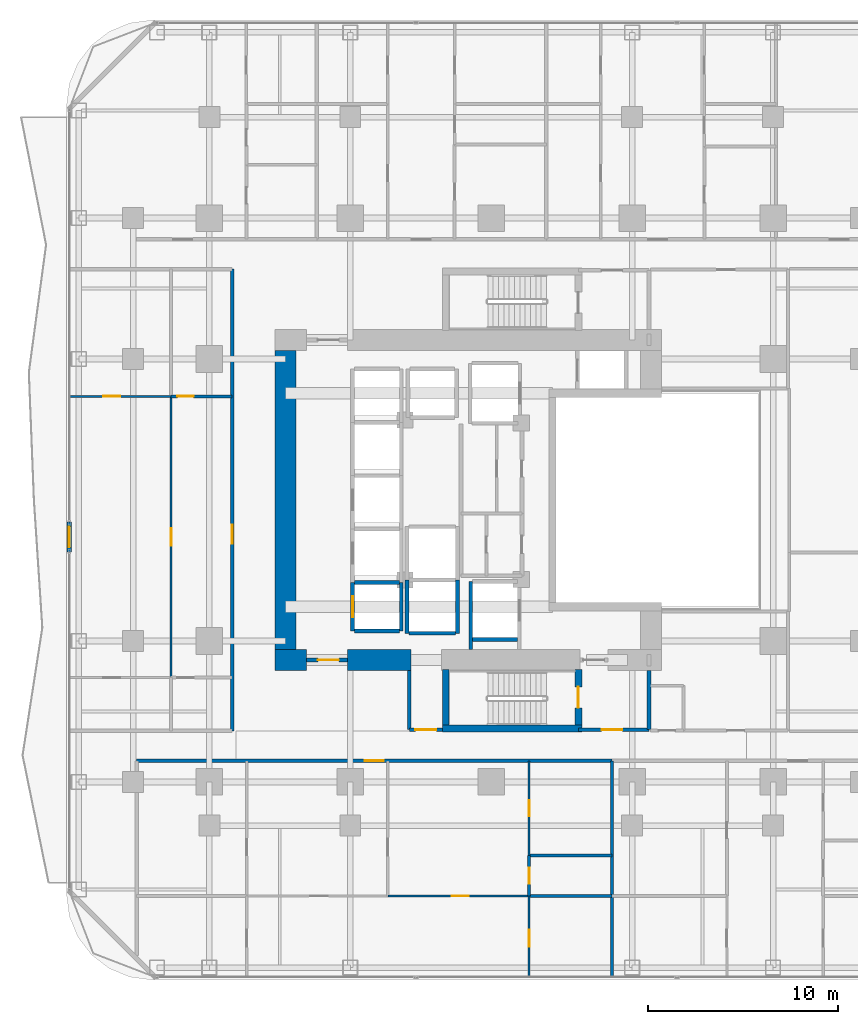
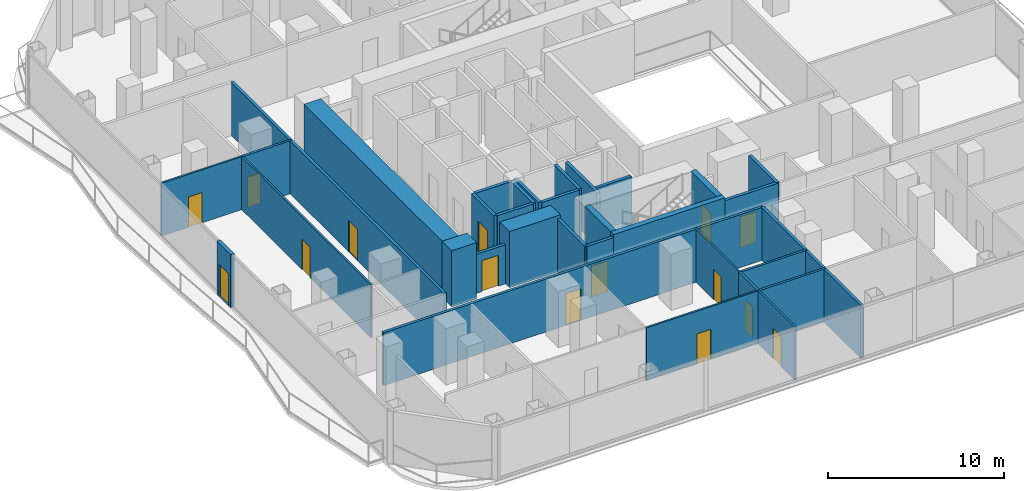
# One storey, part 20 of 27: 33 walls, 15 doors, 15 openings.
"""IFC4 building model written with IfcOpenShell, lengths in metres."""

from ifc_helpers import new_model, si_unit, direction, frame, frame_2d, origin, place, context, subcontext, project, spatial, rectangle, extrude, material, layer, layer_set, type_object, element, fill, save


model = new_model("IFC4")

# Units and contexts
model_context = context("Model", 3, precision=1e-05, world=origin(), true_north=direction((0.0, 1.0)))
body_context = subcontext(model_context, "Body", "Model", "MODEL_VIEW")
ifc_project = project(units=[si_unit("LENGTHUNIT", "METRE"), si_unit("AREAUNIT", "SQUARE_METRE"), si_unit("VOLUMEUNIT", "CUBIC_METRE"), si_unit("PLANEANGLEUNIT", "RADIAN"), si_unit("MASSUNIT", "GRAM", prefix="KILO")], contexts=[model_context])

# Site, building, storey
site_placement = place(None, origin())
site = spatial("IfcSite", under=ifc_project, at=site_placement, CompositionType="ELEMENT")
building_placement = place(site_placement, origin())
building = spatial("IfcBuilding", under=site, at=building_placement, Name="Khorvyn Point Tower", CompositionType="ELEMENT")
storey_placement = place(building_placement, frame((0.0, 0.0, 46.199951171875)))
storey = spatial("IfcBuildingStorey", under=building, at=storey_placement, Name="L12", CompositionType="ELEMENT", Elevation=46.199951171875)

# Wall, opening, door
ifc_material_1 = material(Name="Double acoustic gypsum on twin steel stud", Category="steel")
ifc_layer_1 = layer(ifc_material_1, 0.179931640625)
ifc_layer_set_1 = layer_set([ifc_layer_1], Name="Acoustic Double-Stud Apartment Demising Wall 180")
wall_type_1 = type_object("IfcWallType", Name="Acoustic Double-Stud Apartment Demising Wall 180", PredefinedType="PARTITIONING", material=ifc_layer_set_1)
wall_1_placement = place(storey_placement, frame((-18.6201171875, -13.699951171875, 0.0), z_axis=(0.0, 0.0, 1.0), x_axis=(1.0, 0.0, 0.0)))
wall_1 = element("IfcWall", 1, at=wall_1_placement, inside=storey, type_object=wall_type_1, Name="Wall", PredefinedType="PARTITIONING", context=body_context, shape_type="SweptSolid", body=[
    extrude(rectangle(XDim=24.963134765625, YDim=0.179931640625, at=frame_2d((12.4814453125, 0.0))), origin(), (0.0, 0.0, 1.0), 3.679931640625),
])
opening_1_placement = place(wall_1_placement, frame((11.9814453125, 0.0, 0.0)))
opening_1 = element("IfcOpeningElement", 2, at=opening_1_placement, cuts=wall_1, Name="Opening ID-AP60", PredefinedType="OPENING", context=body_context, shape_type="SweptSolid", body=[
    extrude(rectangle(XDim=1.0, YDim=2.199951171875, at=frame_2d((0.5, 1.10009765625))), frame((0.0, 0.099853515625, 0.0), z_axis=(0.0, -1.0, 0.0), x_axis=(1.0, 0.0, 0.0)), (0.0, 0.0, 1.0), 0.199951171875),
])
ifc_material_2 = material(Name="Engineered hardwood fire-rated leaf", Category="wood")
door_type_1 = type_object("IfcDoorType", Name="Acoustic Solid-Core Timber Apartment Entrance Door 1000x2200", OperationType="NOTDEFINED", PredefinedType="DOOR", material=ifc_material_2)
door_1_placement = place(opening_1_placement, origin())
door_1 = element("IfcDoor", 3, at=door_1_placement, inside=storey, type_object=door_type_1, Name="Door", OperationType="SINGLE_SWING_LEFT", OverallHeight=2.199951171875, OverallWidth=1.0, PredefinedType="DOOR", context=body_context, shape_type="SweptSolid", body=[
    extrude(rectangle(XDim=1.0, YDim=2.199951171875, at=frame_2d((0.5, 1.10009765625))), frame((0.0, 0.02490234375, 0.0), z_axis=(0.0, -1.0, 0.0), x_axis=(1.0, 0.0, 0.0)), (0.0, 0.0, 1.0), 0.050048828125),
])
fill(opening_1, door_1)

wall_2_placement = place(storey_placement, frame((-13.60009765625, -12.1201171875, 0.0), z_axis=(0.0, 0.0, 1.0), x_axis=(0.0, 1.0, 0.0)))
wall_2 = element("IfcWall", 4, at=wall_2_placement, inside=storey, type_object=wall_type_1, Name="Wall", PredefinedType="PARTITIONING", context=body_context, shape_type="SweptSolid", body=[
    extrude(rectangle(XDim=24.240234375, YDim=0.179931640625, at=frame_2d((12.1201171875, 0.0))), origin(), (0.0, 0.0, 1.0), 3.679931640625),
])
opening_2_placement = place(wall_2_placement, frame((9.829345703125, 0.0, 0.0)))
opening_2 = element("IfcOpeningElement", 5, at=opening_2_placement, cuts=wall_2, Name="Opening ID-AP60", PredefinedType="OPENING", context=body_context, shape_type="SweptSolid", body=[
    extrude(rectangle(XDim=1.0, YDim=2.199951171875, at=frame_2d((0.5, 1.10009765625))), frame((0.0, 0.099853515625, 0.0), z_axis=(0.0, -1.0, 0.0), x_axis=(1.0, 0.0, 0.0)), (0.0, 0.0, 1.0), 0.199951171875),
])
door_2_placement = place(opening_2_placement, origin())
door_2 = element("IfcDoor", 6, at=door_2_placement, inside=storey, type_object=door_type_1, Name="Door", OperationType="SINGLE_SWING_RIGHT", OverallHeight=2.199951171875, OverallWidth=1.0, PredefinedType="DOOR", context=body_context, shape_type="SweptSolid", body=[
    extrude(rectangle(XDim=1.0, YDim=2.199951171875, at=frame_2d((0.5, 1.10009765625))), frame((0.0, 0.02490234375, 0.0), z_axis=(0.0, -1.0, 0.0), x_axis=(1.0, 0.0, 0.0)), (0.0, 0.0, 1.0), 0.050048828125),
])
fill(opening_2, door_2)

# Wall
wall_3_placement = place(storey_placement, frame((6.343017578125, -25.030029296875, 0.0), z_axis=(0.0, 0.0, 1.0), x_axis=(0.0, 1.0, 0.0)))
element("IfcWall", 7, at=wall_3_placement, inside=storey, type_object=wall_type_1, Name="Wall", PredefinedType="PARTITIONING", context=body_context, shape_type="SweptSolid", body=[
    extrude(rectangle(XDim=11.330078125, YDim=0.179931640625, at=frame_2d((5.6650390625, 0.0))), origin(), (0.0, 0.0, 1.0), 3.679931640625),
])

# Wall, opening, door
ifc_material_3 = material(Name="Pale anodised aluminium rainscreen on steel stud", Category="steel")
ifc_layer_2 = layer(ifc_material_3, 0.239990234375)
ifc_layer_set_2 = layer_set([ifc_layer_2], Name="Anodised Aluminium Insulated Corner Spandrel Wall 240")
wall_type_2 = type_object("IfcWallType", Name="Anodised Aluminium Insulated Corner Spandrel Wall 240", PredefinedType="SOLIDWALL", material=ifc_layer_set_2)
wall_4_placement = place(storey_placement, frame((-22.14990234375, -2.73193359375, 0.0), z_axis=(0.0, 0.0, 1.0), x_axis=(0.0, 1.0, 0.0)))
wall_4 = element("IfcWall", 8, at=wall_4_placement, inside=storey, type_object=wall_type_2, Name="L12 West Outdoor Threshold Wall", PredefinedType="SOLIDWALL", context=body_context, shape_type="SweptSolid", body=[
    extrude(rectangle(XDim=1.579833984375, YDim=0.239990234375, at=frame_2d((0.7900390625, 0.0))), origin(), (0.0, 0.0, 1.0), 3.679931640625),
])
opening_3_placement = place(wall_4_placement, frame((0.239990234375, 0.0, 0.0)))
opening_3 = element("IfcOpeningElement", 9, at=opening_3_placement, cuts=wall_4, Name="Opening BD-1122", PredefinedType="OPENING", context=body_context, shape_type="SweptSolid", body=[
    extrude(rectangle(XDim=1.10009765625, YDim=2.199951171875, at=frame_2d((0.550048828125, 1.10009765625))), frame((0.0, 0.1298828125, 0.0), z_axis=(0.0, -1.0, 0.0), x_axis=(1.0, 0.0, 0.0)), (0.0, 0.0, 1.0), 0.260009765625),
])
ifc_material_4 = material(Name="Anodised aluminium 6063-T6 and laminated Low-E glass", Category="aluminium")
door_type_2 = type_object("IfcDoorType", Name="Glazed Balcony and Terrace Threshold Door 1100x2200", OperationType="NOTDEFINED", PredefinedType="DOOR", material=ifc_material_4)
door_3_placement = place(opening_3_placement, origin())
door_3 = element("IfcDoor", 10, at=door_3_placement, inside=storey, type_object=door_type_2, Name="L12 West Glazed Balcony Outdoor Door", OperationType="SINGLE_SWING_RIGHT", OverallHeight=2.199951171875, OverallWidth=1.10009765625, PredefinedType="DOOR", context=body_context, shape_type="SweptSolid", body=[
    extrude(rectangle(XDim=1.10009765625, YDim=2.199951171875, at=frame_2d((0.550048828125, 1.10009765625))), frame((0.0, 0.02490234375, 0.0), z_axis=(0.0, -1.0, 0.0), x_axis=(1.0, 0.0, 0.0)), (0.0, 0.0, 1.0), 0.050048828125),
])
fill(opening_3, door_3)

ifc_material_5 = material(Name="Concrete C40/50", Category="concrete")
ifc_layer_3 = layer(ifc_material_5, 0.199951171875)
ifc_layer_set_3 = layer_set([ifc_layer_3], Name="Concrete C40/50 Fire-Lobby Compartment Wall 200")
wall_type_3 = type_object("IfcWallType", Name="Concrete C40/50 Fire-Lobby Compartment Wall 200", PredefinedType="SOLIDWALL", material=ifc_layer_set_3)
wall_5_placement = place(storey_placement, frame((4.580078125, -12.06005859375, 0.0), z_axis=(0.0, 0.0, 1.0), x_axis=(1.0, 0.0, 0.0)))
wall_5 = element("IfcWall", 11, at=wall_5_placement, inside=storey, type_object=wall_type_3, Name="Wall", PredefinedType="SOLIDWALL", context=body_context, shape_type="SweptSolid", body=[
    extrude(rectangle(XDim=3.699951171875, YDim=0.199951171875, at=frame_2d((1.85009765625, 0.0))), origin(), (0.0, 0.0, 1.0), 3.679931640625),
])
opening_4_placement = place(wall_5_placement, frame((1.21240234375, 0.0, 0.0)))
opening_4 = element("IfcOpeningElement", 12, at=opening_4_placement, cuts=wall_5, Name="Opening ID-FL90", PredefinedType="OPENING", context=body_context, shape_type="SweptSolid", body=[
    extrude(rectangle(XDim=1.10009765625, YDim=2.14990234375, at=frame_2d((0.550048828125, 1.074951171875))), frame((0.0, 0.10986328125, 0.0), z_axis=(0.0, -1.0, 0.0), x_axis=(1.0, 0.0, 0.0)), (0.0, 0.0, 1.0), 0.219970703125),
])
ifc_material_6 = material(Name="Galvanised powder-coated steel", Category="steel")
door_type_3 = type_object("IfcDoorType", Name="Fire-Rated Steel Lobby and Stair Door 1100x2150", OperationType="NOTDEFINED", PredefinedType="DOOR", material=ifc_material_6)
door_4_placement = place(opening_4_placement, origin())
door_4 = element("IfcDoor", 13, at=door_4_placement, inside=storey, type_object=door_type_3, Name="Door", OperationType="SINGLE_SWING_RIGHT", OverallHeight=2.14990234375, OverallWidth=1.10009765625, PredefinedType="DOOR", context=body_context, shape_type="SweptSolid", body=[
    extrude(rectangle(XDim=1.10009765625, YDim=2.14990234375, at=frame_2d((0.550048828125, 1.074951171875))), frame((0.0, 0.02490234375, 0.0), z_axis=(0.0, -1.0, 0.0), x_axis=(1.0, 0.0, 0.0)), (0.0, 0.0, 1.0), 0.050048828125),
])
fill(opening_4, door_4)

wall_6_placement = place(storey_placement, frame((-9.699951171875, -8.39990234375, 0.0), z_axis=(0.0, 0.0, 1.0), x_axis=(1.0, 0.0, 0.0)))
wall_6 = element("IfcWall", 14, at=wall_6_placement, inside=storey, type_object=wall_type_3, Name="Wall", PredefinedType="SOLIDWALL", context=body_context, shape_type="SweptSolid", body=[
    extrude(rectangle(XDim=2.14990234375, YDim=0.199951171875, at=frame_2d((1.074951171875, 0.0))), origin(), (0.0, 0.0, 1.0), 2.719970703125),
])
opening_5_placement = place(wall_6_placement, frame((0.597900390625, 0.0, 0.0)))
opening_5 = element("IfcOpeningElement", 15, at=opening_5_placement, cuts=wall_6, Name="Opening ID-FL90", PredefinedType="OPENING", context=body_context, shape_type="SweptSolid", body=[
    extrude(rectangle(XDim=1.10009765625, YDim=2.14990234375, at=frame_2d((0.550048828125, 1.074951171875))), frame((0.0, 0.10986328125, 0.0), z_axis=(0.0, -1.0, 0.0), x_axis=(1.0, 0.0, 0.0)), (0.0, 0.0, 1.0), 0.219970703125),
])
door_5_placement = place(opening_5_placement, origin())
door_5 = element("IfcDoor", 16, at=door_5_placement, inside=storey, type_object=door_type_3, Name="Door", OperationType="SINGLE_SWING_LEFT", OverallHeight=2.14990234375, OverallWidth=1.10009765625, PredefinedType="DOOR", context=body_context, shape_type="SweptSolid", body=[
    extrude(rectangle(XDim=1.10009765625, YDim=2.14990234375, at=frame_2d((0.550048828125, 1.074951171875))), frame((0.0, 0.02490234375, 0.0), z_axis=(0.0, -1.0, 0.0), x_axis=(1.0, 0.0, 0.0)), (0.0, 0.0, 1.0), 0.050048828125),
])
fill(opening_5, door_5)

wall_7_placement = place(storey_placement, frame((-4.300048828125, -12.06005859375, 0.0), z_axis=(0.0, 0.0, 1.0), x_axis=(1.0, 0.0, 0.0)))
wall_7 = element("IfcWall", 17, at=wall_7_placement, inside=storey, type_object=wall_type_3, Name="Wall", PredefinedType="SOLIDWALL", context=body_context, shape_type="SweptSolid", body=[
    extrude(rectangle(XDim=1.75, YDim=0.199951171875, at=frame_2d((0.875, 0.0))), origin(), (0.0, 0.0, 1.0), 3.679931640625),
])
opening_6_placement = place(wall_7_placement, frame((0.324951171875, 0.0, 0.0)))
opening_6 = element("IfcOpeningElement", 18, at=opening_6_placement, cuts=wall_7, Name="Opening ID-FL90", PredefinedType="OPENING", context=body_context, shape_type="SweptSolid", body=[
    extrude(rectangle(XDim=1.10009765625, YDim=2.14990234375, at=frame_2d((0.550048828125, 1.074951171875))), frame((0.0, 0.10986328125, 0.0), z_axis=(0.0, -1.0, 0.0), x_axis=(1.0, 0.0, 0.0)), (0.0, 0.0, 1.0), 0.219970703125),
])
door_6_placement = place(opening_6_placement, origin())
door_6 = element("IfcDoor", 19, at=door_6_placement, inside=storey, type_object=door_type_3, Name="Door", OperationType="SINGLE_SWING_LEFT", OverallHeight=2.14990234375, OverallWidth=1.10009765625, PredefinedType="DOOR", context=body_context, shape_type="SweptSolid", body=[
    extrude(rectangle(XDim=1.10009765625, YDim=2.14990234375, at=frame_2d((0.550048828125, 1.074951171875))), frame((0.0, 0.02490234375, 0.0), z_axis=(0.0, -1.0, 0.0), x_axis=(1.0, 0.0, 0.0)), (0.0, 0.0, 1.0), 0.050048828125),
])
fill(opening_6, door_6)

# Walls
for number, where, z_axis, x_axis, name in (
    (20, (8.280029296875, -12.06005859375, 0.0), (0.0, 0.0, 1.0), (0.0, 1.0, 0.0), "Wall"),
    (21, (-4.300048828125, -12.06005859375, 0.0), (0.0, 0.0, 1.0), (0.0, 1.0, 0.0), "Wall"),
):
    element("IfcWall", number, at=place(storey_placement, frame(where, z_axis=z_axis, x_axis=x_axis)), inside=storey, type_object=wall_type_3, Name=name, PredefinedType="SOLIDWALL", context=body_context, shape_type="SweptSolid", body=[
        extrude(rectangle(XDim=3.110107421875, YDim=0.199951171875, at=frame_2d((1.55517578125, 0.0))), origin(), (0.0, 0.0, 1.0), 3.679931640625),
    ])
ifc_layer_4 = layer(ifc_material_5, 0.35009765625)
ifc_layer_set_4 = layer_set([ifc_layer_4], Name="Concrete C40/50 Stair Shaft Structural Wall 350")
wall_type_4 = type_object("IfcWallType", Name="Concrete C40/50 Stair Shaft Structural Wall 350", PredefinedType="SHEAR", material=ifc_layer_set_4)
wall_8_placement = place(storey_placement, frame((-2.554931640625, -12.0, 0.0), z_axis=(0.0, 0.0, 1.0), x_axis=(1.0, 0.0, 0.0)))
element("IfcWall", 22, at=wall_8_placement, inside=storey, type_object=wall_type_4, Name="L12 ST-01 South Shaft Wall", PredefinedType="SHEAR", context=body_context, shape_type="SweptSolid", body=[
    extrude(rectangle(XDim=7.309814453125, YDim=0.35009765625, at=frame_2d((3.65478515625, 0.0))), origin(), (0.0, 0.0, 1.0), 3.900146484375),
])
wall_9_placement = place(storey_placement, frame((-2.3798828125, -11.824951171875, 0.0), z_axis=(0.0, 0.0, 1.0), x_axis=(0.0, 1.0, 0.0)))
element("IfcWall", 23, at=wall_9_placement, inside=storey, type_object=wall_type_4, Name="L12 ST-01 West Shaft Wall", PredefinedType="SHEAR", context=body_context, shape_type="SweptSolid", body=[
    extrude(rectangle(XDim=2.925048828125, YDim=0.35009765625, at=frame_2d((1.46240234375, 0.0))), origin(), (0.0, 0.0, 1.0), 3.900146484375),
])

# Wall, opening, door
wall_10_placement = place(storey_placement, frame((4.580078125, -8.89990234375, 0.0), z_axis=(0.0, 0.0, 1.0), x_axis=(0.0, -1.0, 0.0)))
wall_10 = element("IfcWall", 24, at=wall_10_placement, inside=storey, type_object=wall_type_4, Name="L12 ST-01 East Landing Door Wall", PredefinedType="SHEAR", context=body_context, shape_type="SweptSolid", body=[
    extrude(rectangle(XDim=2.925048828125, YDim=0.35009765625, at=frame_2d((1.46240234375, 0.0))), origin(), (0.0, 0.0, 1.0), 3.900146484375),
])
opening_7_placement = place(wall_10_placement, frame((0.91259765625, 0.0, 0.0)))
opening_7 = element("IfcOpeningElement", 25, at=opening_7_placement, cuts=wall_10, Name="Opening ID-FL90", PredefinedType="OPENING", context=body_context, shape_type="SweptSolid", body=[
    extrude(rectangle(XDim=1.10009765625, YDim=2.14990234375, at=frame_2d((0.550048828125, 1.074951171875))), frame((0.0, 0.18505859375, 0.0), z_axis=(0.0, -1.0, 0.0), x_axis=(1.0, 0.0, 0.0)), (0.0, 0.0, 1.0), 0.3701171875),
])
door_7_placement = place(opening_7_placement, origin())
door_7 = element("IfcDoor", 26, at=door_7_placement, inside=storey, type_object=door_type_3, Name="L12 ST-01 Smokeproof Landing Door", OperationType="SINGLE_SWING_RIGHT", OverallHeight=2.14990234375, OverallWidth=1.10009765625, PredefinedType="DOOR", context=body_context, shape_type="SweptSolid", body=[
    extrude(rectangle(XDim=1.10009765625, YDim=2.14990234375, at=frame_2d((0.550048828125, 1.074951171875))), frame((0.0, 0.02490234375, 0.0), z_axis=(0.0, -1.0, 0.0), x_axis=(1.0, 0.0, 0.0)), (0.0, 0.0, 1.0), 0.050048828125),
])
fill(opening_7, door_7)

ifc_layer_5 = layer(ifc_material_5, 0.199951171875)
ifc_layer_set_5 = layer_set([ifc_layer_5], Name="Concrete C40/50 Structural Hoistway and Stair Shaft Wall 200")
wall_type_5 = type_object("IfcWallType", Name="Concrete C40/50 Structural Hoistway and Stair Shaft Wall 200", PredefinedType="SHEAR", material=ifc_layer_set_5)
wall_11_placement = place(storey_placement, frame((-7.27490234375, -6.875, 0.0), z_axis=(0.0, 0.0, 1.0), x_axis=(0.0, 1.0, 0.0)))
wall_11 = element("IfcWall", 27, at=wall_11_placement, inside=storey, type_object=wall_type_5, Name="Wall", PredefinedType="SHEAR", context=body_context, shape_type="SweptSolid", body=[
    extrude(rectangle(XDim=2.550048828125, YDim=0.199951171875, at=frame_2d((1.27490234375, 0.0))), origin(), (0.0, 0.0, 1.0), 3.679931640625),
])
opening_8_placement = place(wall_11_placement, frame((0.72509765625, 0.0, 0.0)))
opening_8 = element("IfcOpeningElement", 28, at=opening_8_placement, cuts=wall_11, Name="Opening LD-1122", PredefinedType="OPENING", context=body_context, shape_type="SweptSolid", body=[
    extrude(rectangle(XDim=1.10009765625, YDim=2.199951171875, at=frame_2d((0.550048828125, 1.10009765625))), frame((0.0, 0.10986328125, 0.0), z_axis=(0.0, -1.0, 0.0), x_axis=(1.0, 0.0, 0.0)), (0.0, 0.0, 1.0), 0.219970703125),
])
ifc_material_7 = material(Name="Stainless steel 1.4301", Category="steel")
door_type_4 = type_object("IfcDoorType", Name="Stainless Steel Automatic Sliding Lift Landing Door 1100x2200", OperationType="SLIDING_TO_LEFT", PredefinedType="DOOR", material=ifc_material_7)
door_8_placement = place(opening_8_placement, origin())
door_8 = element("IfcDoor", 29, at=door_8_placement, inside=storey, type_object=door_type_4, Name="L12 RL-01 Sliding Lift Landing Door", OperationType="SLIDING_TO_LEFT", OverallHeight=2.199951171875, OverallWidth=1.10009765625, PredefinedType="DOOR", context=body_context, shape_type="SweptSolid", body=[
    extrude(rectangle(XDim=1.10009765625, YDim=2.199951171875, at=frame_2d((0.550048828125, 1.10009765625))), frame((0.0, 0.02490234375, 0.0), z_axis=(0.0, -1.0, 0.0), x_axis=(1.0, 0.0, 0.0)), (0.0, 0.0, 1.0), 0.050048828125),
])
fill(opening_8, door_8)

# Walls
wall_12_placement = place(storey_placement, frame((-4.72509765625, -6.875, 0.0), z_axis=(0.0, 0.0, 1.0), x_axis=(0.0, 1.0, 0.0)))
element("IfcWall", 30, at=wall_12_placement, inside=storey, type_object=wall_type_5, Name="Wall", PredefinedType="SHEAR", context=body_context, shape_type="SweptSolid", body=[
    extrude(rectangle(XDim=2.550048828125, YDim=0.199951171875, at=frame_2d((1.27490234375, 0.0))), origin(), (0.0, 0.0, 1.0), 3.679931640625),
])
for number, where, z_axis, x_axis, name in (
    (31, (-7.175048828125, -6.875, 0.0), (0.0, 0.0, 1.0), (1.0, 0.0, 0.0), "Wall"),
    (32, (-7.175048828125, -4.324951171875, 0.0), (0.0, 0.0, 1.0), (1.0, 0.0, 0.0), "Wall"),
):
    element("IfcWall", number, at=place(storey_placement, frame(where, z_axis=z_axis, x_axis=x_axis)), inside=storey, type_object=wall_type_5, Name=name, PredefinedType="SHEAR", context=body_context, shape_type="SweptSolid", body=[
        extrude(rectangle(XDim=2.35009765625, YDim=0.199951171875, at=frame_2d((1.175048828125, 0.0))), origin(), (0.0, 0.0, 1.0), 3.679931640625),
    ])
for number, where, z_axis, x_axis, name in (
    (33, (-4.425048828125, -7.0, 0.0), (0.0, 0.0, 1.0), (0.0, 1.0, 0.0), "Wall"),
    (34, (-1.77490234375, -7.0, 0.0), (0.0, 0.0, 1.0), (0.0, 1.0, 0.0), "Wall"),
):
    element("IfcWall", number, at=place(storey_placement, frame(where, z_axis=z_axis, x_axis=x_axis)), inside=storey, type_object=wall_type_5, Name=name, PredefinedType="SHEAR", context=body_context, shape_type="SweptSolid", body=[
        extrude(rectangle(XDim=2.800048828125, YDim=0.199951171875, at=frame_2d((1.39990234375, 0.0))), origin(), (0.0, 0.0, 1.0), 3.679931640625),
    ])
wall_13_placement = place(storey_placement, frame((-4.324951171875, -7.0, 0.0), z_axis=(0.0, 0.0, 1.0), x_axis=(1.0, 0.0, 0.0)))
element("IfcWall", 35, at=wall_13_placement, inside=storey, type_object=wall_type_5, Name="Wall", PredefinedType="SHEAR", context=body_context, shape_type="SweptSolid", body=[
    extrude(rectangle(XDim=2.449951171875, YDim=0.199951171875, at=frame_2d((1.22509765625, 0.0))), origin(), (0.0, 0.0, 1.0), 3.679931640625),
])
wall_14_placement = place(storey_placement, frame((-1.074951171875, -7.85009765625, 0.0), z_axis=(0.0, 0.0, 1.0), x_axis=(0.0, 1.0, 0.0)))
element("IfcWall", 36, at=wall_14_placement, inside=storey, type_object=wall_type_5, Name="Wall", PredefinedType="SHEAR", context=body_context, shape_type="SweptSolid", body=[
    extrude(rectangle(XDim=3.5751953125, YDim=0.199951171875, at=frame_2d((1.78759765625, 0.0))), origin(), (0.0, 0.0, 1.0), 3.679931640625),
])
wall_15_placement = place(storey_placement, frame((-0.97509765625, -7.324951171875, 0.0), z_axis=(0.0, 0.0, 1.0), x_axis=(1.0, 0.0, 0.0)))
element("IfcWall", 37, at=wall_15_placement, inside=storey, type_object=wall_type_5, Name="Wall", PredefinedType="SHEAR", context=body_context, shape_type="SweptSolid", body=[
    extrude(rectangle(XDim=2.35009765625, YDim=0.199951171875, at=frame_2d((1.175048828125, 0.0))), origin(), (0.0, 0.0, 1.0), 3.679931640625),
])
ifc_material_8 = material(Name="Concrete C50/60", Category="concrete")
ifc_layer_6 = layer(ifc_material_8, 1.10009765625)
ifc_layer_set_6 = layer_set([ifc_layer_6], Name="Concrete C50/60 Core Shear Wall 1100")
wall_type_6 = type_object("IfcWallType", Name="Concrete C50/60 Core Shear Wall 1100", PredefinedType="SHEAR", material=ifc_layer_set_6)
wall_16_placement = place(storey_placement, frame((-11.35009765625, -8.39990234375, 0.0), z_axis=(0.0, 0.0, 1.0), x_axis=(1.0, 0.0, 0.0)))
element("IfcWall", 38, at=wall_16_placement, inside=storey, type_object=wall_type_6, Name="Wall", PredefinedType="SHEAR", context=body_context, shape_type="SweptSolid", body=[
    extrude(rectangle(XDim=1.650146484375, YDim=1.10009765625, at=frame_2d((0.8251953125, 0.0))), origin(), (0.0, 0.0, 1.0), 3.900146484375),
])
wall_17_placement = place(storey_placement, frame((-7.550048828125, -8.39990234375, 0.0), z_axis=(0.0, 0.0, 1.0), x_axis=(1.0, 0.0, 0.0)))
element("IfcWall", 39, at=wall_17_placement, inside=storey, type_object=wall_type_6, Name="Wall", PredefinedType="SHEAR", context=body_context, shape_type="SweptSolid", body=[
    extrude(rectangle(XDim=3.35009765625, YDim=1.10009765625, at=frame_2d((1.675048828125, 0.0))), origin(), (0.0, 0.0, 1.0), 3.900146484375),
])
wall_18_placement = place(storey_placement, frame((-10.800048828125, -7.85009765625, 0.0), z_axis=(0.0, 0.0, 1.0), x_axis=(0.0, 1.0, 0.0)))
element("IfcWall", 40, at=wall_18_placement, inside=storey, type_object=wall_type_6, Name="Wall", PredefinedType="SHEAR", context=body_context, shape_type="SweptSolid", body=[
    extrude(rectangle(XDim=15.7001953125, YDim=1.10009765625, at=frame_2d((7.85009765625, 0.0))), origin(), (0.0, 0.0, 1.0), 3.900146484375),
])

# Wall, opening, door
ifc_material_9 = material(Name="Gypsum plasterboard on steel stud", Category="steel")
ifc_layer_7 = layer(ifc_material_9, 0.1201171875)
ifc_layer_set_7 = layer_set([ifc_layer_7], Name="Gypsum Acoustic Stud Room Partition Wall 120")
wall_type_7 = type_object("IfcWallType", Name="Gypsum Acoustic Stud Room Partition Wall 120", PredefinedType="PARTITIONING", material=ifc_layer_set_7)
wall_19_placement = place(storey_placement, frame((-5.425048828125, -20.7900390625, 0.0), z_axis=(0.0, 0.0, 1.0), x_axis=(1.0, 0.0, 0.0)))
wall_19 = element("IfcWall", 41, at=wall_19_placement, inside=storey, type_object=wall_type_7, Name="Wall", PredefinedType="PARTITIONING", context=body_context, shape_type="SweptSolid", body=[
    extrude(rectangle(XDim=7.412109375, YDim=0.1201171875, at=frame_2d((3.7060546875, 0.0))), origin(), (0.0, 0.0, 1.0), 3.679931640625),
])
opening_9_placement = place(wall_19_placement, frame((3.344482421875, 0.0, 0.0)))
opening_9 = element("IfcOpeningElement", 42, at=opening_9_placement, cuts=wall_19, Name="Opening ID-RM90", PredefinedType="OPENING", context=body_context, shape_type="SweptSolid", body=[
    extrude(rectangle(XDim=0.89990234375, YDim=2.10009765625, at=frame_2d((0.449951171875, 1.050048828125))), frame((0.0, 0.070068359375, 0.0), z_axis=(0.0, -1.0, 0.0), x_axis=(1.0, 0.0, 0.0)), (0.0, 0.0, 1.0), 0.14013671875),
])
ifc_material_10 = material(Name="Engineered oak veneer timber", Category="wood")
door_type_5 = type_object("IfcDoorType", Name="Flush Engineered Timber Room Door 900x2100", OperationType="NOTDEFINED", PredefinedType="DOOR", material=ifc_material_10)
door_9_placement = place(opening_9_placement, origin())
door_9 = element("IfcDoor", 43, at=door_9_placement, inside=storey, type_object=door_type_5, Name="Door", OperationType="SINGLE_SWING_LEFT", OverallHeight=2.10009765625, OverallWidth=0.89990234375, PredefinedType="DOOR", context=body_context, shape_type="SweptSolid", body=[
    extrude(rectangle(XDim=0.89990234375, YDim=2.10009765625, at=frame_2d((0.449951171875, 1.050048828125))), frame((0.0, 0.02490234375, 0.0), z_axis=(0.0, -1.0, 0.0), x_axis=(1.0, 0.0, 0.0)), (0.0, 0.0, 1.0), 0.050048828125),
])
fill(opening_9, door_9)

wall_20_placement = place(storey_placement, frame((1.987060546875, -18.6630859375, 0.0), z_axis=(0.0, 0.0, 1.0), x_axis=(0.0, 1.0, 0.0)))
wall_20 = element("IfcWall", 44, at=wall_20_placement, inside=storey, type_object=wall_type_7, Name="Wall", PredefinedType="PARTITIONING", context=body_context, shape_type="SweptSolid", body=[
    extrude(rectangle(XDim=4.963134765625, YDim=0.1201171875, at=frame_2d((2.4814453125, 0.0))), origin(), (0.0, 0.0, 1.0), 3.679931640625),
])
opening_10_placement = place(wall_20_placement, frame((2.056396484375, 0.0, 0.0)))
opening_10 = element("IfcOpeningElement", 45, at=opening_10_placement, cuts=wall_20, Name="Opening ID-WC85", PredefinedType="OPENING", context=body_context, shape_type="SweptSolid", body=[
    extrude(rectangle(XDim=0.85009765625, YDim=2.10009765625, at=frame_2d((0.425048828125, 1.050048828125))), frame((0.0, 0.070068359375, 0.0), z_axis=(0.0, -1.0, 0.0), x_axis=(1.0, 0.0, 0.0)), (0.0, 0.0, 1.0), 0.14013671875),
])
ifc_material_11 = material(Name="High-pressure laminate on moisture-resistant core", Category="wood")
door_type_6 = type_object("IfcDoorType", Name="Moisture-Resistant Accessible Washroom Door 850x2100", OperationType="NOTDEFINED", PredefinedType="DOOR", material=ifc_material_11)
door_10_placement = place(opening_10_placement, origin())
door_10 = element("IfcDoor", 46, at=door_10_placement, inside=storey, type_object=door_type_6, Name="Door", OperationType="SINGLE_SWING_RIGHT", OverallHeight=2.10009765625, OverallWidth=0.85009765625, PredefinedType="DOOR", context=body_context, shape_type="SweptSolid", body=[
    extrude(rectangle(XDim=0.85009765625, YDim=2.10009765625, at=frame_2d((0.425048828125, 1.050048828125))), frame((0.0, 0.02490234375, 0.0), z_axis=(0.0, -1.0, 0.0), x_axis=(1.0, 0.0, 0.0)), (0.0, 0.0, 1.0), 0.050048828125),
])
fill(opening_10, door_10)

wall_21_placement = place(storey_placement, frame((1.987060546875, -25.030029296875, 0.0), z_axis=(0.0, 0.0, 1.0), x_axis=(0.0, 1.0, 0.0)))
wall_21 = element("IfcWall", 47, at=wall_21_placement, inside=storey, type_object=wall_type_7, Name="Wall", PredefinedType="PARTITIONING", context=body_context, shape_type="SweptSolid", body=[
    extrude(rectangle(XDim=4.239990234375, YDim=0.1201171875, at=frame_2d((2.1201171875, 0.0))), origin(), (0.0, 0.0, 1.0), 3.679931640625),
])
opening_11_placement = place(wall_21_placement, frame((1.581298828125, 0.0, 0.0)))
opening_11 = element("IfcOpeningElement", 48, at=opening_11_placement, cuts=wall_21, Name="Opening ID-RM90", PredefinedType="OPENING", context=body_context, shape_type="SweptSolid", body=[
    extrude(rectangle(XDim=0.89990234375, YDim=2.10009765625, at=frame_2d((0.449951171875, 1.050048828125))), frame((0.0, 0.070068359375, 0.0), z_axis=(0.0, -1.0, 0.0), x_axis=(1.0, 0.0, 0.0)), (0.0, 0.0, 1.0), 0.14013671875),
])
door_11_placement = place(opening_11_placement, origin())
door_11 = element("IfcDoor", 49, at=door_11_placement, inside=storey, type_object=door_type_5, Name="Door", OperationType="SINGLE_SWING_LEFT", OverallHeight=2.10009765625, OverallWidth=0.89990234375, PredefinedType="DOOR", context=body_context, shape_type="SweptSolid", body=[
    extrude(rectangle(XDim=0.89990234375, YDim=2.10009765625, at=frame_2d((0.449951171875, 1.050048828125))), frame((0.0, 0.02490234375, 0.0), z_axis=(0.0, -1.0, 0.0), x_axis=(1.0, 0.0, 0.0)), (0.0, 0.0, 1.0), 0.050048828125),
])
fill(opening_11, door_11)

wall_22_placement = place(storey_placement, frame((-16.80810546875, -9.320068359375, 0.0), z_axis=(0.0, 0.0, 1.0), x_axis=(0.0, 1.0, 0.0)))
wall_22 = element("IfcWall", 50, at=wall_22_placement, inside=storey, type_object=wall_type_7, Name="Wall", PredefinedType="PARTITIONING", context=body_context, shape_type="SweptSolid", body=[
    extrude(rectangle(XDim=14.756103515625, YDim=0.1201171875, at=frame_2d((7.3779296875, 0.0))), origin(), (0.0, 0.0, 1.0), 3.679931640625),
])
opening_12_placement = place(wall_22_placement, frame((6.927978515625, 0.0, 0.0)))
opening_12 = element("IfcOpeningElement", 51, at=opening_12_placement, cuts=wall_22, Name="Opening ID-RM90", PredefinedType="OPENING", context=body_context, shape_type="SweptSolid", body=[
    extrude(rectangle(XDim=0.89990234375, YDim=2.10009765625, at=frame_2d((0.449951171875, 1.050048828125))), frame((0.0, 0.070068359375, 0.0), z_axis=(0.0, -1.0, 0.0), x_axis=(1.0, 0.0, 0.0)), (0.0, 0.0, 1.0), 0.14013671875),
])
door_12_placement = place(opening_12_placement, origin())
door_12 = element("IfcDoor", 52, at=door_12_placement, inside=storey, type_object=door_type_5, Name="Door", OperationType="SINGLE_SWING_LEFT", OverallHeight=2.10009765625, OverallWidth=0.89990234375, PredefinedType="DOOR", context=body_context, shape_type="SweptSolid", body=[
    extrude(rectangle(XDim=0.89990234375, YDim=2.10009765625, at=frame_2d((0.449951171875, 1.050048828125))), frame((0.0, 0.02490234375, 0.0), z_axis=(0.0, -1.0, 0.0), x_axis=(1.0, 0.0, 0.0)), (0.0, 0.0, 1.0), 0.050048828125),
])
fill(opening_12, door_12)

wall_23_placement = place(storey_placement, frame((-22.1298828125, 5.43603515625, 0.0), z_axis=(0.0, 0.0, 1.0), x_axis=(1.0, 0.0, 0.0)))
wall_23 = element("IfcWall", 53, at=wall_23_placement, inside=storey, type_object=wall_type_7, Name="Wall", PredefinedType="PARTITIONING", context=body_context, shape_type="SweptSolid", body=[
    extrude(rectangle(XDim=5.32177734375, YDim=0.1201171875, at=frame_2d((2.660888671875, 0.0))), origin(), (0.0, 0.0, 1.0), 3.679931640625),
])
opening_13_placement = place(wall_23_placement, frame((1.76513671875, 0.0, 0.0)))
opening_13 = element("IfcOpeningElement", 54, at=opening_13_placement, cuts=wall_23, Name="Opening ID-RM90", PredefinedType="OPENING", context=body_context, shape_type="SweptSolid", body=[
    extrude(rectangle(XDim=0.89990234375, YDim=2.10009765625, at=frame_2d((0.449951171875, 1.050048828125))), frame((0.0, 0.070068359375, 0.0), z_axis=(0.0, -1.0, 0.0), x_axis=(1.0, 0.0, 0.0)), (0.0, 0.0, 1.0), 0.14013671875),
])
door_13_placement = place(opening_13_placement, origin())
door_13 = element("IfcDoor", 55, at=door_13_placement, inside=storey, type_object=door_type_5, Name="Door", OperationType="SINGLE_SWING_LEFT", OverallHeight=2.10009765625, OverallWidth=0.89990234375, PredefinedType="DOOR", context=body_context, shape_type="SweptSolid", body=[
    extrude(rectangle(XDim=0.89990234375, YDim=2.10009765625, at=frame_2d((0.449951171875, 1.050048828125))), frame((0.0, 0.02490234375, 0.0), z_axis=(0.0, -1.0, 0.0), x_axis=(1.0, 0.0, 0.0)), (0.0, 0.0, 1.0), 0.050048828125),
])
fill(opening_13, door_13)

ifc_material_12 = material(Name="Moisture-resistant gypsum and cement board", Category="gypsum")
ifc_layer_8 = layer(ifc_material_12, 0.14990234375)
ifc_layer_set_8 = layer_set([ifc_layer_8], Name="Moisture-Resistant Wet-Room Partition Wall 150")
wall_type_8 = type_object("IfcWallType", Name="Moisture-Resistant Wet-Room Partition Wall 150", PredefinedType="PARTITIONING", material=ifc_layer_set_8)
wall_24_placement = place(storey_placement, frame((1.987060546875, -20.7900390625, 0.0), z_axis=(0.0, 0.0, 1.0), x_axis=(0.0, 1.0, 0.0)))
wall_24 = element("IfcWall", 56, at=wall_24_placement, inside=storey, type_object=wall_type_8, Name="Wall", PredefinedType="PARTITIONING", context=body_context, shape_type="SweptSolid", body=[
    extrude(rectangle(XDim=2.126953125, YDim=0.14990234375, at=frame_2d((1.0634765625, 0.0))), origin(), (0.0, 0.0, 1.0), 3.679931640625),
])
opening_14_placement = place(wall_24_placement, frame((0.638427734375, 0.0, 0.0)))
opening_14 = element("IfcOpeningElement", 57, at=opening_14_placement, cuts=wall_24, Name="Opening ID-WC85", PredefinedType="OPENING", context=body_context, shape_type="SweptSolid", body=[
    extrude(rectangle(XDim=0.85009765625, YDim=2.10009765625, at=frame_2d((0.425048828125, 1.050048828125))), frame((0.0, 0.0849609375, 0.0), z_axis=(0.0, -1.0, 0.0), x_axis=(1.0, 0.0, 0.0)), (0.0, 0.0, 1.0), 0.169921875),
])
door_14_placement = place(opening_14_placement, origin())
door_14 = element("IfcDoor", 58, at=door_14_placement, inside=storey, type_object=door_type_6, Name="Door", OperationType="SINGLE_SWING_LEFT", OverallHeight=2.10009765625, OverallWidth=0.85009765625, PredefinedType="DOOR", context=body_context, shape_type="SweptSolid", body=[
    extrude(rectangle(XDim=0.85009765625, YDim=2.10009765625, at=frame_2d((0.425048828125, 1.050048828125))), frame((0.0, 0.02490234375, 0.0), z_axis=(0.0, -1.0, 0.0), x_axis=(1.0, 0.0, 0.0)), (0.0, 0.0, 1.0), 0.050048828125),
])
fill(opening_14, door_14)

wall_25_placement = place(storey_placement, frame((-16.80810546875, 5.43603515625, 0.0), z_axis=(0.0, 0.0, 1.0), x_axis=(1.0, 0.0, 0.0)))
wall_25 = element("IfcWall", 59, at=wall_25_placement, inside=storey, type_object=wall_type_8, Name="Wall", PredefinedType="PARTITIONING", context=body_context, shape_type="SweptSolid", body=[
    extrude(rectangle(XDim=3.2080078125, YDim=0.14990234375, at=frame_2d((1.60400390625, 0.0))), origin(), (0.0, 0.0, 1.0), 3.679931640625),
])
opening_15_placement = place(wall_25_placement, frame((0.329833984375, 0.0, 0.0)))
opening_15 = element("IfcOpeningElement", 60, at=opening_15_placement, cuts=wall_25, Name="Opening ID-WC85", PredefinedType="OPENING", context=body_context, shape_type="SweptSolid", body=[
    extrude(rectangle(XDim=0.85009765625, YDim=2.10009765625, at=frame_2d((0.425048828125, 1.050048828125))), frame((0.0, 0.0849609375, 0.0), z_axis=(0.0, -1.0, 0.0), x_axis=(1.0, 0.0, 0.0)), (0.0, 0.0, 1.0), 0.169921875),
])
door_15_placement = place(opening_15_placement, origin())
door_15 = element("IfcDoor", 61, at=door_15_placement, inside=storey, type_object=door_type_6, Name="Door", OperationType="SINGLE_SWING_RIGHT", OverallHeight=2.10009765625, OverallWidth=0.85009765625, PredefinedType="DOOR", context=body_context, shape_type="SweptSolid", body=[
    extrude(rectangle(XDim=0.85009765625, YDim=2.10009765625, at=frame_2d((0.425048828125, 1.050048828125))), frame((0.0, 0.02490234375, 0.0), z_axis=(0.0, -1.0, 0.0), x_axis=(1.0, 0.0, 0.0)), (0.0, 0.0, 1.0), 0.050048828125),
])
fill(opening_15, door_15)

# Walls
for number, where, z_axis, x_axis, name in (
    (62, (1.987060546875, -18.6630859375, 0.0), (0.0, 0.0, 1.0), (1.0, 0.0, 0.0), "Wall"),
    (63, (1.987060546875, -20.7900390625, 0.0), (0.0, 0.0, 1.0), (1.0, 0.0, 0.0), "Wall"),
):
    element("IfcWall", number, at=place(storey_placement, frame(where, z_axis=z_axis, x_axis=x_axis)), inside=storey, type_object=wall_type_8, Name=name, PredefinedType="PARTITIONING", context=body_context, shape_type="SweptSolid", body=[
        extrude(rectangle(XDim=4.35595703125, YDim=0.14990234375, at=frame_2d((2.177978515625, 0.0))), origin(), (0.0, 0.0, 1.0), 3.679931640625),
    ])

save(model, "model.ifc")
